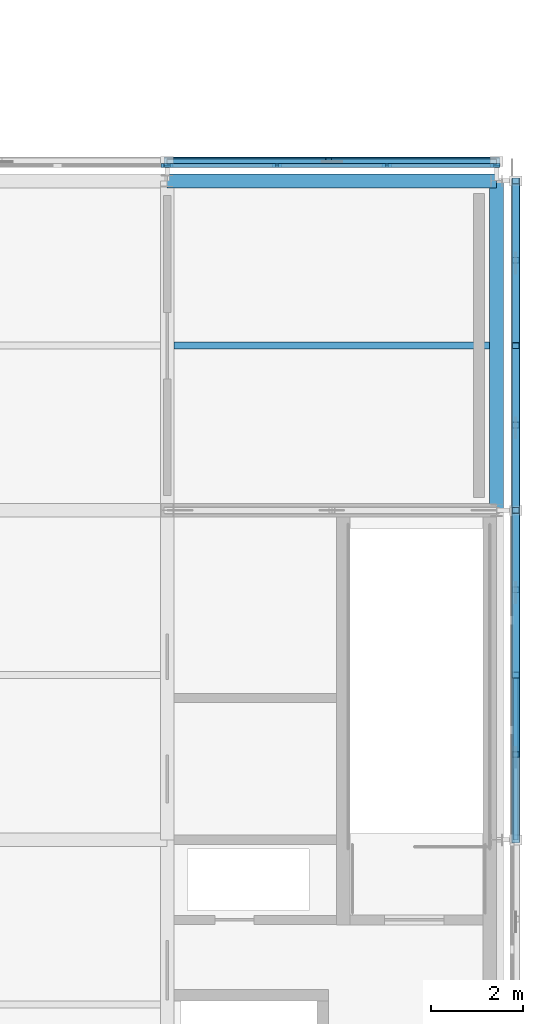
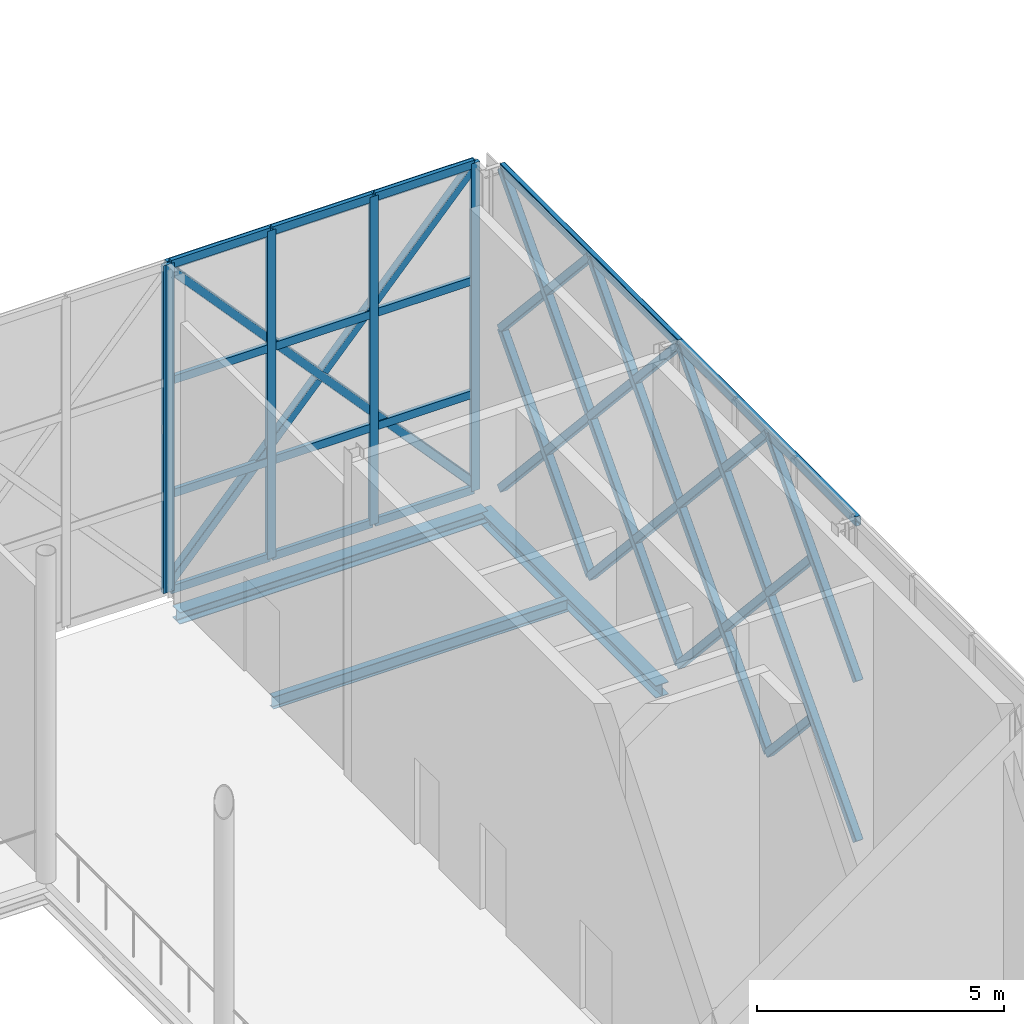
# One storey, part 20 of 76: 45 members, 3 beams, 2 elements without a shape of their own.
"""IFC4 building model written with IfcOpenShell, lengths in metres."""

from ifc_helpers import new_model, si_unit, direction, frame, origin, origin_2d, place, context, subcontext, project, spatial, rectangle, hollow_rectangle, i_section, extrude, material, material_profile, profile_set, type_object, element, aggregate, save


model = new_model("IFC4")

# Units and contexts
model_context = context("Model", 3, precision=1e-05, world=origin(), true_north=direction((0.0, 1.0)))
body_context = subcontext(model_context, "Body", "Model", "MODEL_VIEW")
ifc_project = project(units=[si_unit("LENGTHUNIT", "METRE"), si_unit("AREAUNIT", "SQUARE_METRE"), si_unit("VOLUMEUNIT", "CUBIC_METRE"), si_unit("PLANEANGLEUNIT", "RADIAN"), si_unit("MASSUNIT", "GRAM", prefix="KILO")], contexts=[model_context])

# Site, building, storey
site_placement = place(None, origin())
site = spatial("IfcSite", under=ifc_project, at=site_placement, CompositionType="ELEMENT")
building_placement = place(site_placement, origin())
building = spatial("IfcBuilding", under=site, at=building_placement, Name="Zlatovets Crest Museum", CompositionType="ELEMENT")
storey_placement = place(building_placement, frame((0.0, 0.0, 17.10009765625)))
storey = spatial("IfcBuildingStorey", under=building, at=storey_placement, Name="L04", CompositionType="ELEMENT", Elevation=17.10009765625)

# Beams
ifc_material_1 = material(Name="Structural steel S355J2", Category="steel")
ifc_material_profile_1 = material_profile(ifc_material_1, i_section(OverallWidth=0.300048828125, OverallDepth=0.31005859375, WebThickness=0.009033203125, FlangeThickness=0.015380859375, FilletRadius=0.027099609375, at=origin_2d()), Name="HEA 320")
ifc_profile_set_1 = profile_set([ifc_material_profile_1], Name="Structural steel S355J2")
beam_type_1 = type_object("IfcBeamType", Name="Beam_B-04", PredefinedType="BEAM", material=ifc_profile_set_1)
beam_1_placement = place(storey_placement, frame((108.0, 21.60009765625, -0.39501953125), z_axis=(0.0, 1.0, 0.0), x_axis=(-1.0, 0.0, 0.0)))
element("IfcBeam", 1, at=beam_1_placement, inside=storey, type_object=beam_type_1, Name="V2 L04 Grid Beam B-04", PredefinedType="BEAM", context=body_context, shape_type="SweptSolid", body=[
    extrude(i_section(OverallWidth=0.300048828125, OverallDepth=0.31005859375, WebThickness=0.009033203125, FlangeThickness=0.015380859375, FilletRadius=0.027099609375, at=origin_2d()), origin(), (0.0, 0.0, 1.0), 7.199951171875),
])
ifc_material_profile_2 = material_profile(ifc_material_1, i_section(OverallWidth=0.300048828125, OverallDepth=0.2900390625, WebThickness=0.008544921875, FlangeThickness=0.013916015625, FilletRadius=0.027099609375, at=origin_2d()), Name="HEA 300")
ifc_profile_set_2 = profile_set([ifc_material_profile_2], Name="Structural steel S355J2")
beam_type_2 = type_object("IfcBeamType", Name="Beam_B-12", PredefinedType="BEAM", material=ifc_profile_set_2)
beam_2_placement = place(storey_placement, frame((100.800048828125, 28.800048828125, -0.385009765625), z_axis=(1.0, 0.0, 0.0), x_axis=(0.0, 1.0, 0.0)))
element("IfcBeam", 2, at=beam_2_placement, inside=storey, type_object=beam_type_2, Name="V2 L04 Primary Girder B-12", PredefinedType="BEAM", context=body_context, shape_type="SweptSolid", body=[
    extrude(i_section(OverallWidth=0.300048828125, OverallDepth=0.2900390625, WebThickness=0.008544921875, FlangeThickness=0.013916015625, FilletRadius=0.027099609375, at=origin_2d()), origin(), (0.0, 0.0, 1.0), 7.199951171875),
])
ifc_material_profile_3 = material_profile(ifc_material_1, i_section(OverallWidth=0.14990234375, OverallDepth=0.300048828125, WebThickness=0.007080078125, FlangeThickness=0.0107421875, FilletRadius=0.014892578125, at=origin_2d()), Name="IPE 300")
ifc_profile_set_3 = profile_set([ifc_material_profile_3], Name="Structural steel S355J2")
beam_type_3 = type_object("IfcBeamType", Name="Beam_J-02", PredefinedType="JOIST", material=ifc_profile_set_3)
beam_3_placement = place(storey_placement, frame((100.949951171875, 25.199951171875, -0.39013671875), z_axis=(1.0, 0.0, 0.0), x_axis=(0.0, 1.0, 0.0)))
element("IfcBeam", 3, at=beam_3_placement, inside=storey, type_object=beam_type_3, Name="V2 L04 Composite Joist J-02", PredefinedType="JOIST", context=body_context, shape_type="SweptSolid", body=[
    extrude(i_section(OverallWidth=0.14990234375, OverallDepth=0.300048828125, WebThickness=0.007080078125, FlangeThickness=0.0107421875, FilletRadius=0.014892578125, at=origin_2d()), origin(), (0.0, 0.0, 1.0), 6.900146484375),
])

# Curtain wall, members
ifc_material_2 = material(Name="Bronze-anodised aluminium and low-E triple glass", Category="aluminium")
curtain_wall_type_1 = type_object("IfcCurtainWallType", Name="CW_CW-V2-L04-M3", PredefinedType="NOTDEFINED", material=ifc_material_2)
curtain_wall_1_placement = place(storey_placement, origin())
curtain_wall_1 = element("IfcCurtainWall", 4, at=curtain_wall_1_placement, inside=storey, type_object=curtain_wall_type_1, Name="V2 L04 Secession Foyer Clear Curtain Wall", PredefinedType="NOTDEFINED")
ifc_material_3 = material(Name="Bronze-anodised aluminium EN AW-6060", Category="aluminium")
ifc_material_profile_4 = material_profile(ifc_material_3, rectangle(XDim=0.090087890625, YDim=0.199951171875, at=origin_2d()), Name="ALU 90x200")
ifc_profile_set_4 = profile_set([ifc_material_profile_4], Name="Bronze-anodised aluminium EN AW-6060")
member_type_1 = type_object("IfcMemberType", Name="CWMull_M2", PredefinedType="MULLION", material=ifc_profile_set_4)
member_1_placement = place(storey_placement, frame((107.969970703125, 29.139892578125, 0.0), z_axis=(0.0, 0.0, 1.0), x_axis=(0.0, -1.0, 0.0)))
member_1 = element("IfcMember", 5, at=member_1_placement, type_object=member_type_1, Name="CW-V2-L04-M3 mullion 1", PredefinedType="MULLION", context=body_context, shape_type="SweptSolid", body=[
    extrude(rectangle(XDim=0.090087890625, YDim=0.199951171875, at=origin_2d()), origin(), (0.0, 0.0, 1.0), 8.099853515625),
])
member_2_placement = place(storey_placement, frame((105.60009765625, 29.139892578125, 0.0), z_axis=(0.0, 0.0, 1.0), x_axis=(0.0, -1.0, 0.0)))
member_2 = element("IfcMember", 6, at=member_2_placement, type_object=member_type_1, Name="CW-V2-L04-M3 mullion 2", PredefinedType="MULLION", context=body_context, shape_type="SweptSolid", body=[
    extrude(rectangle(XDim=0.090087890625, YDim=0.199951171875, at=origin_2d()), origin(), (0.0, 0.0, 1.0), 8.099853515625),
])
member_3_placement = place(storey_placement, frame((103.199951171875, 29.139892578125, 0.0), z_axis=(0.0, 0.0, 1.0), x_axis=(0.0, -1.0, 0.0)))
member_3 = element("IfcMember", 7, at=member_3_placement, type_object=member_type_1, Name="CW-V2-L04-M3 mullion 3", PredefinedType="MULLION", context=body_context, shape_type="SweptSolid", body=[
    extrude(rectangle(XDim=0.090087890625, YDim=0.199951171875, at=origin_2d()), origin(), (0.0, 0.0, 1.0), 8.099853515625),
])
member_4_placement = place(storey_placement, frame((100.830078125, 29.139892578125, 0.0), z_axis=(0.0, 0.0, 1.0), x_axis=(0.0, -1.0, 0.0)))
member_4 = element("IfcMember", 8, at=member_4_placement, type_object=member_type_1, Name="CW-V2-L04-M3 mullion 4", PredefinedType="MULLION", context=body_context, shape_type="SweptSolid", body=[
    extrude(rectangle(XDim=0.090087890625, YDim=0.199951171875, at=origin_2d()), origin(), (0.0, 0.0, 1.0), 8.099853515625),
])

# Curtain wall, member
curtain_wall_type_2 = type_object("IfcCurtainWallType", Name="CW_CW-V2-L04-M0", PredefinedType="NOTDEFINED", material=ifc_material_2)
curtain_wall_2_placement = place(storey_placement, origin())
curtain_wall_2 = element("IfcCurtainWall", 9, at=curtain_wall_2_placement, inside=storey, type_object=curtain_wall_type_2, Name="V2 L04 Secession Foyer Clear Curtain Wall", PredefinedType="NOTDEFINED")
member_5_placement = place(storey_placement, frame((100.77001953125, 29.139892578125, 0.0), z_axis=(0.0, 0.0, 1.0), x_axis=(0.0, -1.0, 0.0)))
member_5 = element("IfcMember", 10, at=member_5_placement, type_object=member_type_1, Name="CW-V2-L04-M0 mullion 1", PredefinedType="MULLION", context=body_context, shape_type="SweptSolid", body=[
    extrude(rectangle(XDim=0.090087890625, YDim=0.199951171875, at=origin_2d()), origin(), (0.0, 0.0, 1.0), 8.099853515625),
])
aggregate(curtain_wall_2, [member_5])

# Member
ifc_material_profile_5 = material_profile(ifc_material_3, rectangle(XDim=0.090087890625, YDim=0.199951171875, at=origin_2d()), Name="ALU 90x200")
ifc_profile_set_5 = profile_set([ifc_material_profile_5], Name="Bronze-anodised aluminium EN AW-6060")
member_type_2 = type_object("IfcMemberType", Name="CWTrans_T2", PredefinedType="USERDEFINED", material=ifc_profile_set_5)
member_6_placement = place(storey_placement, frame((107.93994140625, 29.139892578125, 0.02978515625), z_axis=(-1.0, 0.0, 0.0), x_axis=(0.0, -1.0, 0.0)))
member_6 = element("IfcMember", 11, at=member_6_placement, type_object=member_type_2, Name="CW-V2-L04-M3 transom 1.1", ObjectType="TRANSOM", PredefinedType="USERDEFINED", context=body_context, shape_type="SweptSolid", body=[
    extrude(rectangle(XDim=0.090087890625, YDim=0.199951171875, at=origin_2d()), origin(), (0.0, 0.0, 1.0), 2.31005859375),
])

member_7_placement = place(storey_placement, frame((107.93994140625, 29.139892578125, 2.39990234375), z_axis=(-1.0, 0.0, 0.0), x_axis=(0.0, -1.0, 0.0)))
member_7 = element("IfcMember", 12, at=member_7_placement, type_object=member_type_2, Name="CW-V2-L04-M3 transom 1.2", ObjectType="TRANSOM", PredefinedType="USERDEFINED", context=body_context, shape_type="SweptSolid", body=[
    extrude(rectangle(XDim=0.090087890625, YDim=0.199951171875, at=origin_2d()), origin(), (0.0, 0.0, 1.0), 2.31005859375),
])

member_8_placement = place(storey_placement, frame((107.93994140625, 29.139892578125, 5.199951171875), z_axis=(-1.0, 0.0, 0.0), x_axis=(0.0, -1.0, 0.0)))
member_8 = element("IfcMember", 13, at=member_8_placement, type_object=member_type_2, Name="CW-V2-L04-M3 transom 1.3", ObjectType="TRANSOM", PredefinedType="USERDEFINED", context=body_context, shape_type="SweptSolid", body=[
    extrude(rectangle(XDim=0.090087890625, YDim=0.199951171875, at=origin_2d()), origin(), (0.0, 0.0, 1.0), 2.31005859375),
])

member_9_placement = place(storey_placement, frame((107.93994140625, 29.139892578125, 8.06982421875), z_axis=(-1.0, 0.0, 0.0), x_axis=(0.0, -1.0, 0.0)))
member_9 = element("IfcMember", 14, at=member_9_placement, type_object=member_type_2, Name="CW-V2-L04-M3 transom 1.4", ObjectType="TRANSOM", PredefinedType="USERDEFINED", context=body_context, shape_type="SweptSolid", body=[
    extrude(rectangle(XDim=0.090087890625, YDim=0.199951171875, at=origin_2d()), origin(), (0.0, 0.0, 1.0), 2.31005859375),
])

member_10_placement = place(storey_placement, frame((105.570068359375, 29.139892578125, 0.02978515625), z_axis=(-1.0, 0.0, 0.0), x_axis=(0.0, -1.0, 0.0)))
member_10 = element("IfcMember", 15, at=member_10_placement, type_object=member_type_2, Name="CW-V2-L04-M3 transom 2.1", ObjectType="TRANSOM", PredefinedType="USERDEFINED", context=body_context, shape_type="SweptSolid", body=[
    extrude(rectangle(XDim=0.090087890625, YDim=0.199951171875, at=origin_2d()), origin(), (0.0, 0.0, 1.0), 2.340087890625),
])

member_11_placement = place(storey_placement, frame((105.570068359375, 29.139892578125, 2.39990234375), z_axis=(-1.0, 0.0, 0.0), x_axis=(0.0, -1.0, 0.0)))
member_11 = element("IfcMember", 16, at=member_11_placement, type_object=member_type_2, Name="CW-V2-L04-M3 transom 2.2", ObjectType="TRANSOM", PredefinedType="USERDEFINED", context=body_context, shape_type="SweptSolid", body=[
    extrude(rectangle(XDim=0.090087890625, YDim=0.199951171875, at=origin_2d()), origin(), (0.0, 0.0, 1.0), 2.340087890625),
])

member_12_placement = place(storey_placement, frame((105.570068359375, 29.139892578125, 5.199951171875), z_axis=(-1.0, 0.0, 0.0), x_axis=(0.0, -1.0, 0.0)))
member_12 = element("IfcMember", 17, at=member_12_placement, type_object=member_type_2, Name="CW-V2-L04-M3 transom 2.3", ObjectType="TRANSOM", PredefinedType="USERDEFINED", context=body_context, shape_type="SweptSolid", body=[
    extrude(rectangle(XDim=0.090087890625, YDim=0.199951171875, at=origin_2d()), origin(), (0.0, 0.0, 1.0), 2.340087890625),
])

member_13_placement = place(storey_placement, frame((105.570068359375, 29.139892578125, 8.06982421875), z_axis=(-1.0, 0.0, 0.0), x_axis=(0.0, -1.0, 0.0)))
member_13 = element("IfcMember", 18, at=member_13_placement, type_object=member_type_2, Name="CW-V2-L04-M3 transom 2.4", ObjectType="TRANSOM", PredefinedType="USERDEFINED", context=body_context, shape_type="SweptSolid", body=[
    extrude(rectangle(XDim=0.090087890625, YDim=0.199951171875, at=origin_2d()), origin(), (0.0, 0.0, 1.0), 2.340087890625),
])

member_14_placement = place(storey_placement, frame((103.169921875, 29.139892578125, 0.02978515625), z_axis=(-1.0, 0.0, 0.0), x_axis=(0.0, -1.0, 0.0)))
member_14 = element("IfcMember", 19, at=member_14_placement, type_object=member_type_2, Name="CW-V2-L04-M3 transom 3.1", ObjectType="TRANSOM", PredefinedType="USERDEFINED", context=body_context, shape_type="SweptSolid", body=[
    extrude(rectangle(XDim=0.090087890625, YDim=0.199951171875, at=origin_2d()), origin(), (0.0, 0.0, 1.0), 2.309814453125),
])

member_15_placement = place(storey_placement, frame((103.169921875, 29.139892578125, 2.39990234375), z_axis=(-1.0, 0.0, 0.0), x_axis=(0.0, -1.0, 0.0)))
member_15 = element("IfcMember", 20, at=member_15_placement, type_object=member_type_2, Name="CW-V2-L04-M3 transom 3.2", ObjectType="TRANSOM", PredefinedType="USERDEFINED", context=body_context, shape_type="SweptSolid", body=[
    extrude(rectangle(XDim=0.090087890625, YDim=0.199951171875, at=origin_2d()), origin(), (0.0, 0.0, 1.0), 2.309814453125),
])

member_16_placement = place(storey_placement, frame((103.169921875, 29.139892578125, 5.199951171875), z_axis=(-1.0, 0.0, 0.0), x_axis=(0.0, -1.0, 0.0)))
member_16 = element("IfcMember", 21, at=member_16_placement, type_object=member_type_2, Name="CW-V2-L04-M3 transom 3.3", ObjectType="TRANSOM", PredefinedType="USERDEFINED", context=body_context, shape_type="SweptSolid", body=[
    extrude(rectangle(XDim=0.090087890625, YDim=0.199951171875, at=origin_2d()), origin(), (0.0, 0.0, 1.0), 2.309814453125),
])

member_17_placement = place(storey_placement, frame((103.169921875, 29.139892578125, 8.06982421875), z_axis=(-1.0, 0.0, 0.0), x_axis=(0.0, -1.0, 0.0)))
member_17 = element("IfcMember", 22, at=member_17_placement, type_object=member_type_2, Name="CW-V2-L04-M3 transom 3.4", ObjectType="TRANSOM", PredefinedType="USERDEFINED", context=body_context, shape_type="SweptSolid", body=[
    extrude(rectangle(XDim=0.090087890625, YDim=0.199951171875, at=origin_2d()), origin(), (0.0, 0.0, 1.0), 2.309814453125),
])

aggregate(curtain_wall_1, [member_1, member_2, member_3, member_4, member_6, member_7, member_8, member_9, member_10, member_11, member_12, member_13, member_14, member_15, member_16, member_17])

# Members
ifc_material_4 = material(Name="Weathering bronze-steel S355J2W", Category="steel")
ifc_material_profile_6 = material_profile(ifc_material_4, hollow_rectangle(XDim=0.179931640625, YDim=0.179931640625, WallThickness=0.010009765625, InnerFilletRadius=0.010009765625, OuterFilletRadius=0.02001953125, at=origin_2d()), Name="SHS 180x180x10.0")
ifc_profile_set_6 = profile_set([ifc_material_profile_6], Name="Weathering bronze-steel S355J2W")
member_type_3 = type_object("IfcMemberType", Name="Lattice_XL-01", PredefinedType="BRACE", material=ifc_profile_set_6)
member_18_placement = place(storey_placement, frame((108.419921875, 14.39990234375, 0.099853515625), z_axis=(0.0, 0.673618118362, 0.739079583411), x_axis=(-1.0, 0.0, 0.0)))
element("IfcMember", 23, at=member_18_placement, inside=storey, type_object=member_type_3, Name="Continuous Bronze Lattice Diagonal", PredefinedType="BRACE", context=body_context, shape_type="SweptSolid", body=[
    extrude(hollow_rectangle(XDim=0.179931640625, YDim=0.179931640625, WallThickness=0.010009765625, InnerFilletRadius=0.010009765625, OuterFilletRadius=0.02001953125, at=origin_2d()), origin(), (0.0, 0.0, 1.0), 5.344482421875),
])
member_19_placement = place(storey_placement, frame((108.419921875, 16.263916015625, 2.004638671875), z_axis=(0.0, 0.673619963761, -0.739077901457), x_axis=(-1.0, 0.0, 0.0)))
element("IfcMember", 24, at=member_19_placement, inside=storey, type_object=member_type_3, Name="Split Crossing Bronze Lattice Diagonal Lower", PredefinedType="BRACE", context=body_context, shape_type="SweptSolid", body=[
    extrude(hollow_rectangle(XDim=0.179931640625, YDim=0.179931640625, WallThickness=0.010009765625, InnerFilletRadius=0.010009765625, OuterFilletRadius=0.02001953125, at=origin_2d()), origin(), (0.0, 0.0, 1.0), 2.5771484375),
])
member_20_placement = place(storey_placement, frame((108.419921875, 18.0, 0.099853515625), z_axis=(0.0, 0.673618118362, 0.739079583411), x_axis=(-1.0, 0.0, 0.0)))
element("IfcMember", 25, at=member_20_placement, inside=storey, type_object=member_type_3, Name="Continuous Bronze Lattice Diagonal", PredefinedType="BRACE", context=body_context, shape_type="SweptSolid", body=[
    extrude(hollow_rectangle(XDim=0.179931640625, YDim=0.179931640625, WallThickness=0.010009765625, InnerFilletRadius=0.010009765625, OuterFilletRadius=0.02001953125, at=origin_2d()), origin(), (0.0, 0.0, 1.0), 5.344482421875),
])
for number, where, z_axis, x_axis, name in (
    (26, (108.419921875, 18.0, 4.0498046875), (0.0, 0.673619963761, -0.739077901457), (-1.0, 0.0, 0.0), "Split Crossing Bronze Lattice Diagonal Upper"),
    (27, (108.419921875, 19.864013671875, 2.004638671875), (0.0, 0.673619963761, -0.739077901457), (-1.0, 0.0, 0.0), "Split Crossing Bronze Lattice Diagonal Lower"),
):
    element("IfcMember", number, at=place(storey_placement, frame(where, z_axis=z_axis, x_axis=x_axis)), inside=storey, type_object=member_type_3, Name=name, PredefinedType="BRACE", context=body_context, shape_type="SweptSolid", body=[
        extrude(hollow_rectangle(XDim=0.179931640625, YDim=0.179931640625, WallThickness=0.010009765625, InnerFilletRadius=0.010009765625, OuterFilletRadius=0.02001953125, at=origin_2d()), origin(), (0.0, 0.0, 1.0), 2.5771484375),
    ])
member_21_placement = place(storey_placement, frame((108.419921875, 14.39990234375, 4.0498046875), z_axis=(0.0, 0.673595375981, 0.739100310822), x_axis=(-1.0, 0.0, 0.0)))
element("IfcMember", 28, at=member_21_placement, inside=storey, type_object=member_type_3, Name="Continuous Bronze Lattice Diagonal", PredefinedType="BRACE", context=body_context, shape_type="SweptSolid", body=[
    extrude(hollow_rectangle(XDim=0.179931640625, YDim=0.179931640625, WallThickness=0.010009765625, InnerFilletRadius=0.010009765625, OuterFilletRadius=0.02001953125, at=origin_2d()), origin(), (0.0, 0.0, 1.0), 5.344482421875),
])
member_22_placement = place(storey_placement, frame((108.419921875, 16.263916015625, 5.95458984375), z_axis=(0.0, 0.673619963761, -0.739077901457), x_axis=(-1.0, 0.0, 0.0)))
element("IfcMember", 29, at=member_22_placement, inside=storey, type_object=member_type_3, Name="Split Crossing Bronze Lattice Diagonal Lower", PredefinedType="BRACE", context=body_context, shape_type="SweptSolid", body=[
    extrude(hollow_rectangle(XDim=0.179931640625, YDim=0.179931640625, WallThickness=0.010009765625, InnerFilletRadius=0.010009765625, OuterFilletRadius=0.02001953125, at=origin_2d()), origin(), (0.0, 0.0, 1.0), 2.5771484375),
])
member_23_placement = place(storey_placement, frame((108.419921875, 18.0, 4.0498046875), z_axis=(0.0, 0.673595375981, 0.739100310822), x_axis=(-1.0, 0.0, 0.0)))
element("IfcMember", 30, at=member_23_placement, inside=storey, type_object=member_type_3, Name="Continuous Bronze Lattice Diagonal", PredefinedType="BRACE", context=body_context, shape_type="SweptSolid", body=[
    extrude(hollow_rectangle(XDim=0.179931640625, YDim=0.179931640625, WallThickness=0.010009765625, InnerFilletRadius=0.010009765625, OuterFilletRadius=0.02001953125, at=origin_2d()), origin(), (0.0, 0.0, 1.0), 5.344482421875),
])
for number, where, z_axis, x_axis, name in (
    (31, (108.419921875, 18.0, 8.0), (0.0, 0.673619963761, -0.739077901457), (-1.0, 0.0, 0.0), "Split Crossing Bronze Lattice Diagonal Upper"),
    (32, (108.419921875, 19.864013671875, 5.95458984375), (0.0, 0.673619963761, -0.739077901457), (-1.0, 0.0, 0.0), "Split Crossing Bronze Lattice Diagonal Lower"),
):
    element("IfcMember", number, at=place(storey_placement, frame(where, z_axis=z_axis, x_axis=x_axis)), inside=storey, type_object=member_type_3, Name=name, PredefinedType="BRACE", context=body_context, shape_type="SweptSolid", body=[
        extrude(hollow_rectangle(XDim=0.179931640625, YDim=0.179931640625, WallThickness=0.010009765625, InnerFilletRadius=0.010009765625, OuterFilletRadius=0.02001953125, at=origin_2d()), origin(), (0.0, 0.0, 1.0), 2.5771484375),
    ])
member_24_placement = place(storey_placement, frame((108.419921875, 21.60009765625, 0.099853515625), z_axis=(0.0, 0.673593164257, 0.739102326519), x_axis=(-1.0, 0.0, 0.0)))
element("IfcMember", 33, at=member_24_placement, inside=storey, type_object=member_type_3, Name="Continuous Bronze Lattice Diagonal", PredefinedType="BRACE", context=body_context, shape_type="SweptSolid", body=[
    extrude(hollow_rectangle(XDim=0.179931640625, YDim=0.179931640625, WallThickness=0.010009765625, InnerFilletRadius=0.010009765625, OuterFilletRadius=0.02001953125, at=origin_2d()), origin(), (0.0, 0.0, 1.0), 5.34423828125),
])
for number, where, z_axis, x_axis, name in (
    (34, (108.419921875, 21.60009765625, 4.0498046875), (0.0, 0.673568214247, -0.739125064354), (-1.0, 0.0, 0.0), "Split Crossing Bronze Lattice Diagonal Upper"),
    (35, (108.419921875, 23.464111328125, 2.004638671875), (0.0, 0.673568214247, -0.739125064354), (-1.0, 0.0, 0.0), "Split Crossing Bronze Lattice Diagonal Lower"),
):
    element("IfcMember", number, at=place(storey_placement, frame(where, z_axis=z_axis, x_axis=x_axis)), inside=storey, type_object=member_type_3, Name=name, PredefinedType="BRACE", context=body_context, shape_type="SweptSolid", body=[
        extrude(hollow_rectangle(XDim=0.179931640625, YDim=0.179931640625, WallThickness=0.010009765625, InnerFilletRadius=0.010009765625, OuterFilletRadius=0.02001953125, at=origin_2d()), origin(), (0.0, 0.0, 1.0), 2.5771484375),
    ])
member_25_placement = place(storey_placement, frame((108.419921875, 25.199951171875, 0.099853515625), z_axis=(0.0, 0.673618118362, 0.739079583411), x_axis=(-1.0, 0.0, 0.0)))
element("IfcMember", 36, at=member_25_placement, inside=storey, type_object=member_type_3, Name="Continuous Bronze Lattice Diagonal", PredefinedType="BRACE", context=body_context, shape_type="SweptSolid", body=[
    extrude(hollow_rectangle(XDim=0.179931640625, YDim=0.179931640625, WallThickness=0.010009765625, InnerFilletRadius=0.010009765625, OuterFilletRadius=0.02001953125, at=origin_2d()), origin(), (0.0, 0.0, 1.0), 5.344482421875),
])
for number, where, z_axis, x_axis, name in (
    (37, (108.419921875, 25.199951171875, 4.0498046875), (0.0, 0.673619963761, -0.739077901457), (-1.0, 0.0, 0.0), "Split Crossing Bronze Lattice Diagonal Upper"),
    (38, (108.419921875, 27.06396484375, 2.004638671875), (0.0, 0.673619963761, -0.739077901457), (-1.0, 0.0, 0.0), "Split Crossing Bronze Lattice Diagonal Lower"),
):
    element("IfcMember", number, at=place(storey_placement, frame(where, z_axis=z_axis, x_axis=x_axis)), inside=storey, type_object=member_type_3, Name=name, PredefinedType="BRACE", context=body_context, shape_type="SweptSolid", body=[
        extrude(hollow_rectangle(XDim=0.179931640625, YDim=0.179931640625, WallThickness=0.010009765625, InnerFilletRadius=0.010009765625, OuterFilletRadius=0.02001953125, at=origin_2d()), origin(), (0.0, 0.0, 1.0), 2.5771484375),
    ])
member_26_placement = place(storey_placement, frame((108.419921875, 21.60009765625, 4.0498046875), z_axis=(0.0, 0.67357042132, 0.739123053032), x_axis=(-1.0, 0.0, 0.0)))
element("IfcMember", 39, at=member_26_placement, inside=storey, type_object=member_type_3, Name="Continuous Bronze Lattice Diagonal", PredefinedType="BRACE", context=body_context, shape_type="SweptSolid", body=[
    extrude(hollow_rectangle(XDim=0.179931640625, YDim=0.179931640625, WallThickness=0.010009765625, InnerFilletRadius=0.010009765625, OuterFilletRadius=0.02001953125, at=origin_2d()), origin(), (0.0, 0.0, 1.0), 5.344482421875),
])
for number, where, z_axis, x_axis, name in (
    (40, (108.419921875, 21.60009765625, 8.0), (0.0, 0.673568214247, -0.739125064354), (-1.0, 0.0, 0.0), "Split Crossing Bronze Lattice Diagonal Upper"),
    (41, (108.419921875, 23.464111328125, 5.95458984375), (0.0, 0.673568214247, -0.739125064354), (-1.0, 0.0, 0.0), "Split Crossing Bronze Lattice Diagonal Lower"),
):
    element("IfcMember", number, at=place(storey_placement, frame(where, z_axis=z_axis, x_axis=x_axis)), inside=storey, type_object=member_type_3, Name=name, PredefinedType="BRACE", context=body_context, shape_type="SweptSolid", body=[
        extrude(hollow_rectangle(XDim=0.179931640625, YDim=0.179931640625, WallThickness=0.010009765625, InnerFilletRadius=0.010009765625, OuterFilletRadius=0.02001953125, at=origin_2d()), origin(), (0.0, 0.0, 1.0), 2.5771484375),
    ])
member_27_placement = place(storey_placement, frame((108.419921875, 25.199951171875, 4.0498046875), z_axis=(0.0, 0.673595375981, 0.739100310822), x_axis=(-1.0, 0.0, 0.0)))
element("IfcMember", 42, at=member_27_placement, inside=storey, type_object=member_type_3, Name="Continuous Bronze Lattice Diagonal", PredefinedType="BRACE", context=body_context, shape_type="SweptSolid", body=[
    extrude(hollow_rectangle(XDim=0.179931640625, YDim=0.179931640625, WallThickness=0.010009765625, InnerFilletRadius=0.010009765625, OuterFilletRadius=0.02001953125, at=origin_2d()), origin(), (0.0, 0.0, 1.0), 5.344482421875),
])
for number, where, z_axis, x_axis, name in (
    (43, (108.419921875, 25.199951171875, 8.0), (0.0, 0.673619963761, -0.739077901457), (-1.0, 0.0, 0.0), "Split Crossing Bronze Lattice Diagonal Upper"),
    (44, (108.419921875, 27.06396484375, 5.95458984375), (0.0, 0.673619963761, -0.739077901457), (-1.0, 0.0, 0.0), "Split Crossing Bronze Lattice Diagonal Lower"),
):
    element("IfcMember", number, at=place(storey_placement, frame(where, z_axis=z_axis, x_axis=x_axis)), inside=storey, type_object=member_type_3, Name=name, PredefinedType="BRACE", context=body_context, shape_type="SweptSolid", body=[
        extrude(hollow_rectangle(XDim=0.179931640625, YDim=0.179931640625, WallThickness=0.010009765625, InnerFilletRadius=0.010009765625, OuterFilletRadius=0.02001953125, at=origin_2d()), origin(), (0.0, 0.0, 1.0), 2.5771484375),
    ])
ifc_material_profile_7 = material_profile(ifc_material_4, hollow_rectangle(XDim=0.199951171875, YDim=0.199951171875, WallThickness=0.012451171875, InnerFilletRadius=0.012451171875, OuterFilletRadius=0.02490234375, at=origin_2d()), Name="SHS 200x200x12.5")
ifc_profile_set_7 = profile_set([ifc_material_profile_7], Name="Weathering bronze-steel S355J2W")
member_type_4 = type_object("IfcMemberType", Name="Lattice_XL-02", PredefinedType="BRACE", material=ifc_profile_set_7)
member_28_placement = place(storey_placement, frame((108.0, 29.219970703125, 0.099853515625), z_axis=(-0.673594270156, 0.0, 0.739101318639), x_axis=(0.0, -1.0, 0.0)))
element("IfcMember", 45, at=member_28_placement, inside=storey, type_object=member_type_4, Name="Continuous Bronze Lattice Diagonal", PredefinedType="BRACE", context=body_context, shape_type="SweptSolid", body=[
    extrude(hollow_rectangle(XDim=0.199951171875, YDim=0.199951171875, WallThickness=0.012451171875, InnerFilletRadius=0.012451171875, OuterFilletRadius=0.02490234375, at=origin_2d()), origin(), (0.0, 0.0, 1.0), 10.68896484375),
])
for number, where, z_axis, x_axis, name in (
    (46, (108.0, 29.219970703125, 8.0), (-0.673582041572, 0.0, -0.73911246321), (0.0, -1.0, 0.0), "Split Crossing Bronze Lattice Diagonal Upper"),
    (47, (104.3359375, 29.219970703125, 3.979736328125), (-0.673582041572, 0.0, -0.73911246321), (0.0, -1.0, 0.0), "Split Crossing Bronze Lattice Diagonal Lower"),
):
    element("IfcMember", number, at=place(storey_placement, frame(where, z_axis=z_axis, x_axis=x_axis)), inside=storey, type_object=member_type_4, Name=name, PredefinedType="BRACE", context=body_context, shape_type="SweptSolid", body=[
        extrude(hollow_rectangle(XDim=0.199951171875, YDim=0.199951171875, WallThickness=0.012451171875, InnerFilletRadius=0.012451171875, OuterFilletRadius=0.02490234375, at=origin_2d()), origin(), (0.0, 0.0, 1.0), 5.249267578125),
    ])
ifc_material_profile_8 = material_profile(ifc_material_4, hollow_rectangle(XDim=0.1201171875, YDim=0.239990234375, WallThickness=0.010009765625, InnerFilletRadius=0.010009765625, OuterFilletRadius=0.02001953125, at=origin_2d()), Name="RHS 120x240x10.0")
ifc_profile_set_8 = profile_set([ifc_material_profile_8], Name="Weathering bronze-steel S355J2W")
member_type_5 = type_object("IfcMemberType", Name="Lattice_XL-04", PredefinedType="CHORD", material=ifc_profile_set_8)
member_29_placement = place(storey_placement, frame((108.419921875, 14.39990234375, 8.0), z_axis=(0.0, 1.0, 0.0), x_axis=(-1.0, 0.0, 0.0)))
element("IfcMember", 48, at=member_29_placement, inside=storey, type_object=member_type_5, Name="Art Nouveau Woven Cage Collector Ring Chord", PredefinedType="CHORD", context=body_context, shape_type="SweptSolid", body=[
    extrude(hollow_rectangle(XDim=0.1201171875, YDim=0.239990234375, WallThickness=0.010009765625, InnerFilletRadius=0.010009765625, OuterFilletRadius=0.02001953125, at=origin_2d()), origin(), (0.0, 0.0, 1.0), 7.2001953125),
])
for number, where, z_axis, x_axis, name in (
    (49, (108.419921875, 21.60009765625, 8.0), (0.0, 1.0, 0.0), (-1.0, 0.0, 0.0), "Art Nouveau Woven Cage Collector Ring Chord"),
    (50, (108.0, 29.219970703125, 8.0), (-1.0, 0.0, 0.0), (0.0, -1.0, 0.0), "Art Nouveau Woven Cage Collector Ring Chord"),
):
    element("IfcMember", number, at=place(storey_placement, frame(where, z_axis=z_axis, x_axis=x_axis)), inside=storey, type_object=member_type_5, Name=name, PredefinedType="CHORD", context=body_context, shape_type="SweptSolid", body=[
        extrude(hollow_rectangle(XDim=0.1201171875, YDim=0.239990234375, WallThickness=0.010009765625, InnerFilletRadius=0.010009765625, OuterFilletRadius=0.02001953125, at=origin_2d()), origin(), (0.0, 0.0, 1.0), 7.199951171875),
    ])

save(model, "model.ifc")
